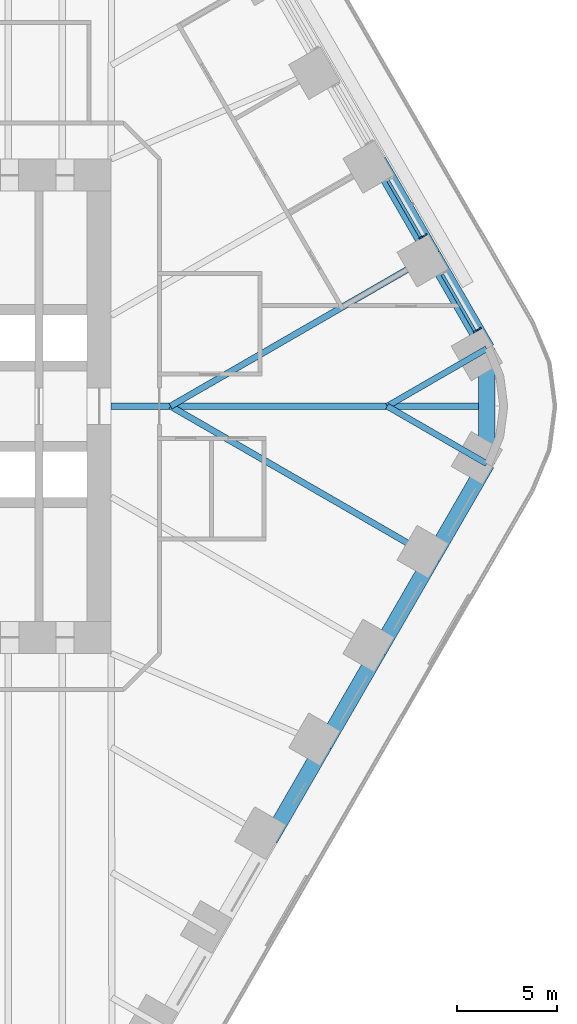
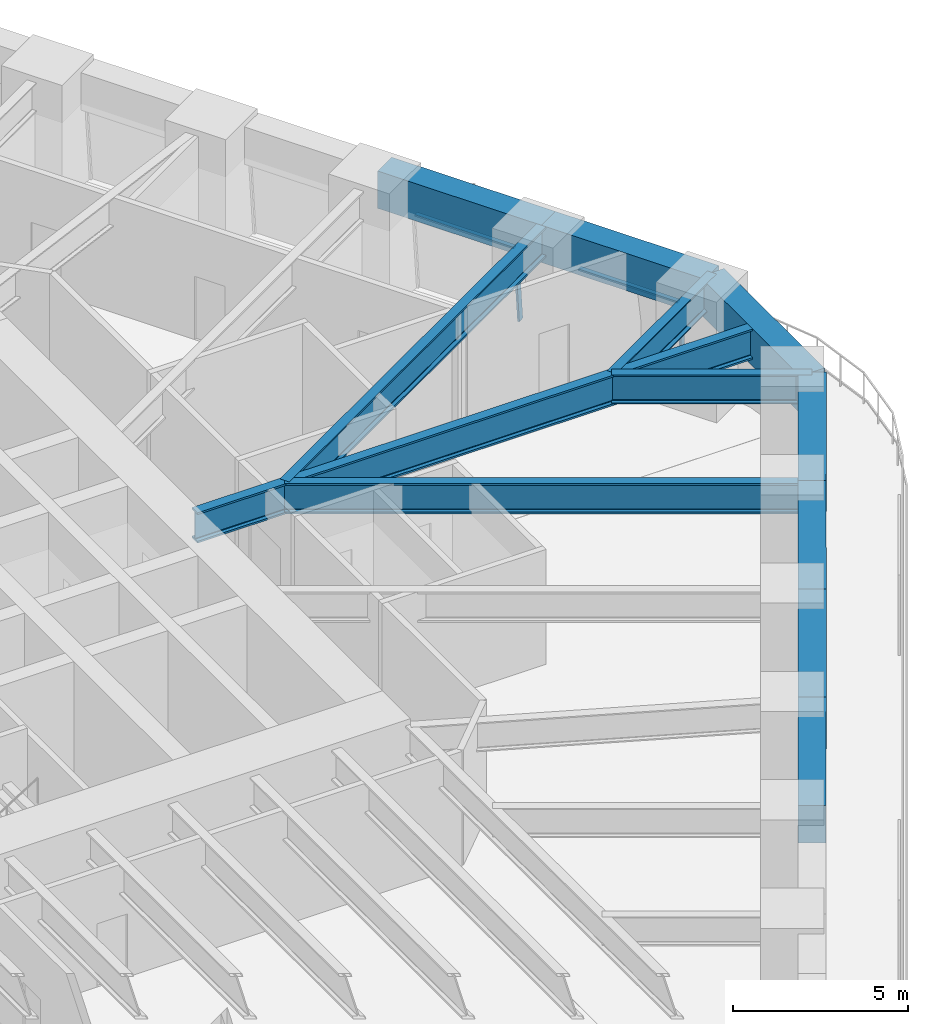
# One storey, part 12 of 23: 12 beams, 4 members, 2 elements without a shape of their own.
"""IFC4 building model written with IfcOpenShell, lengths in metres."""

from ifc_helpers import new_model, si_unit, direction, frame, origin, origin_2d, place, context, subcontext, project, spatial, rectangle, i_section, extrude, material, material_profile, profile_set, type_object, element, aggregate, save


model = new_model("IFC4")

# Units and contexts
model_context = context("Model", 3, precision=1e-05, world=origin(), true_north=direction((0.0, 1.0)))
body_context = subcontext(model_context, "Body", "Model", "MODEL_VIEW")
ifc_project = project(units=[si_unit("LENGTHUNIT", "METRE"), si_unit("AREAUNIT", "SQUARE_METRE"), si_unit("VOLUMEUNIT", "CUBIC_METRE"), si_unit("PLANEANGLEUNIT", "RADIAN"), si_unit("MASSUNIT", "GRAM", prefix="KILO")], contexts=[model_context])

# Site, building, storey
site_placement = place(None, origin())
site = spatial("IfcSite", under=ifc_project, at=site_placement, CompositionType="ELEMENT")
building_placement = place(site_placement, origin())
building = spatial("IfcBuilding", under=site, at=building_placement, Name="Tarfa Lantern Tower", CompositionType="ELEMENT")
storey_placement = place(building_placement, frame((0.0, 0.0, 48.699951171875)))
storey = spatial("IfcBuildingStorey", under=building, at=storey_placement, Name="L10", CompositionType="ELEMENT", Elevation=48.699951171875)

# Curtain wall, member
ifc_material_1 = material(Name="Aluminium framed curtain wall", Category="aluminium")
curtain_wall_type = type_object("IfcCurtainWallType", Name="CW1 CANTED GLAZING LOW ZONE 2700", PredefinedType="USERDEFINED", material=ifc_material_1)
curtain_wall_1_placement = place(storey_placement, origin())
curtain_wall_1 = element("IfcCurtainWall", 1, at=curtain_wall_1_placement, inside=storey, type_object=curtain_wall_type, Name="CW1 NE L10", ObjectType="CURTAIN WALL", PredefinedType="USERDEFINED")
ifc_material_2 = material(Name="Aluminium mullion", Category="aluminium")
ifc_material_profile_1 = material_profile(ifc_material_2, rectangle(XDim=0.06494140625, YDim=0.199951171875, at=origin_2d()), Name="AL MULLION 65x200")
ifc_profile_set_1 = profile_set([ifc_material_profile_1], Name="Aluminium mullion")
member_type_1 = type_object("IfcMemberType", Name="CWM1 MULLION 65x200", PredefinedType="MULLION", material=ifc_profile_set_1)
member_1_placement = place(storey_placement, frame((36.9248046875, 3.84423828125, 0.0), z_axis=(-0.079774955866, -0.04610020023, 0.995746317068), x_axis=(0.500342721131, -0.865827443207, 0.0)))
member_1 = element("IfcMember", 2, at=member_1_placement, type_object=member_type_1, Name="CW1 mullion 1", PredefinedType="MULLION", context=body_context, shape_type="SweptSolid", body=[
    extrude(rectangle(XDim=0.06494140625, YDim=0.199951171875, at=origin_2d()), origin(), (0.0, 0.0, 1.0), 2.71142578125),
])

curtain_wall_2_placement = place(storey_placement, origin())
curtain_wall_2 = element("IfcCurtainWall", 3, at=curtain_wall_2_placement, inside=storey, type_object=curtain_wall_type, Name="CW1 NE L10", ObjectType="CURTAIN WALL", PredefinedType="USERDEFINED")
member_2_placement = place(storey_placement, frame((34.230712890625, 8.5107421875, 0.0), z_axis=(-0.07986442134, -0.046099868913, 0.99573916077), x_axis=(0.499919672301, -0.866071776036, 0.0)))
member_2 = element("IfcMember", 4, at=member_2_placement, type_object=member_type_1, Name="CW1 mullion 1", PredefinedType="MULLION", context=body_context, shape_type="SweptSolid", body=[
    extrude(rectangle(XDim=0.06494140625, YDim=0.199951171875, at=origin_2d()), origin(), (0.0, 0.0, 1.0), 2.71142578125),
])

# Member
ifc_material_3 = material(Name="Aluminium transom", Category="aluminium")
ifc_material_profile_2 = material_profile(ifc_material_3, rectangle(XDim=0.14990234375, YDim=0.06494140625, at=origin_2d()), Name="AL TRANSOM 150x65")
ifc_profile_set_2 = profile_set([ifc_material_profile_2], Name="Aluminium transom")
member_type_2 = type_object("IfcMemberType", Name="CWT1 TRANSOM 150x65", PredefinedType="USERDEFINED", material=ifc_profile_set_2)
member_3_placement = place(storey_placement, frame((36.69482421875, 3.748779296875, 2.66748046875), z_axis=(-0.500022939057, 0.866012159509, 0.0), x_axis=(-0.866012159509, -0.500022939057, 0.0)))
member_3 = element("IfcMember", 5, at=member_3_placement, type_object=member_type_2, Name="CW1 transom 1.2", ObjectType="TRANSOM", PredefinedType="USERDEFINED", context=body_context, shape_type="SweptSolid", body=[
    extrude(rectangle(XDim=0.14990234375, YDim=0.06494140625, at=origin_2d()), origin(), (0.0, 0.0, 1.0), 3.258544921875),
])

aggregate(curtain_wall_1, [member_1, member_3])

member_4_placement = place(storey_placement, frame((34.00048828125, 8.41552734375, 2.66748046875), z_axis=(-0.500022939057, 0.866012159509, 0.0), x_axis=(-0.866012159509, -0.500022939057, 0.0)))
member_4 = element("IfcMember", 6, at=member_4_placement, type_object=member_type_2, Name="CW1 transom 1.2", ObjectType="TRANSOM", PredefinedType="USERDEFINED", context=body_context, shape_type="SweptSolid", body=[
    extrude(rectangle(XDim=0.14990234375, YDim=0.06494140625, at=origin_2d()), origin(), (0.0, 0.0, 1.0), 3.258544921875),
])

aggregate(curtain_wall_2, [member_2, member_4])

# Beams
ifc_material_4 = material(Name="Concrete C80/95", Category="concrete")
ifc_material_profile_3 = material_profile(ifc_material_4, rectangle(XDim=0.800048828125, YDim=1.300048828125, at=origin_2d()), Name="RC 800x1300")
ifc_profile_set_3 = profile_set([ifc_material_profile_3], Name="Concrete C80/95")
beam_type_1 = type_object("IfcBeamType", Name="EB1 RC 800x1300", PredefinedType="SPANDREL", material=ifc_profile_set_3)
beam_1_placement = place(storey_placement, frame((37.285400390625, 2.860107421875, 3.35009765625), z_axis=(-0.500017906299, 0.866015065331, 0.0), x_axis=(-0.866015065331, -0.500017906299, 0.0)))
element("IfcBeam", 7, at=beam_1_placement, inside=storey, type_object=beam_type_1, Name="Edge beam NE0", PredefinedType="SPANDREL", context=body_context, shape_type="SweptSolid", body=[
    extrude(rectangle(XDim=0.800048828125, YDim=1.300048828125, at=origin_2d()), origin(), (0.0, 0.0, 1.0), 5.388427734375),
])
beam_2_placement = place(storey_placement, frame((34.591064453125, 7.526611328125, 3.35009765625), z_axis=(-0.499998287579, 0.866026392449, 0.0), x_axis=(-0.866026392449, -0.499998287579, 0.0)))
element("IfcBeam", 8, at=beam_2_placement, inside=storey, type_object=beam_type_1, Name="Edge beam NE1", PredefinedType="SPANDREL", context=body_context, shape_type="SweptSolid", body=[
    extrude(rectangle(XDim=0.800048828125, YDim=1.300048828125, at=origin_2d()), origin(), (0.0, 0.0, 1.0), 5.388671875),
])
beam_3_placement = place(storey_placement, frame((26.508056640625, -21.526611328125, 3.35009765625), z_axis=(0.500017906299, 0.866015065331, 0.0), x_axis=(-0.866015065331, 0.500017906299, 0.0)))
element("IfcBeam", 9, at=beam_3_placement, inside=storey, type_object=beam_type_1, Name="Edge beam SE2", PredefinedType="SPANDREL", context=body_context, shape_type="SweptSolid", body=[
    extrude(rectangle(XDim=0.800048828125, YDim=1.300048828125, at=origin_2d()), origin(), (0.0, 0.0, 1.0), 5.388427734375),
])
for number, where, z_axis, x_axis, name in (
    (10, (29.202392578125, -16.860107421875, 3.35009765625), (0.499998287579, 0.866026392449, 0.0), (-0.866026392449, 0.499998287579, 0.0), "Edge beam SE3"),
    (11, (31.896728515625, -12.193359375, 3.35009765625), (0.499998287579, 0.866026392449, 0.0), (-0.866026392449, 0.499998287579, 0.0), "Edge beam SE4"),
):
    element("IfcBeam", number, at=place(storey_placement, frame(where, z_axis=z_axis, x_axis=x_axis)), inside=storey, type_object=beam_type_1, Name=name, PredefinedType="SPANDREL", context=body_context, shape_type="SweptSolid", body=[
        extrude(rectangle(XDim=0.800048828125, YDim=1.300048828125, at=origin_2d()), origin(), (0.0, 0.0, 1.0), 5.388671875),
    ])
beam_4_placement = place(storey_placement, frame((34.591064453125, -7.526611328125, 3.35009765625), z_axis=(0.500017906299, 0.866015065331, 0.0), x_axis=(-0.866015065331, 0.500017906299, 0.0)))
element("IfcBeam", 12, at=beam_4_placement, inside=storey, type_object=beam_type_1, Name="Edge beam SE5", PredefinedType="SPANDREL", context=body_context, shape_type="SweptSolid", body=[
    extrude(rectangle(XDim=0.800048828125, YDim=1.300048828125, at=origin_2d()), origin(), (0.0, 0.0, 1.0), 5.388427734375),
])
beam_5_placement = place(storey_placement, frame((37.285400390625, -2.860107421875, 3.35009765625), z_axis=(0.0, 1.0, 0.0), x_axis=(-1.0, 0.0, 0.0)))
element("IfcBeam", 13, at=beam_5_placement, inside=storey, type_object=beam_type_1, Name="Edge beam SE6", PredefinedType="SPANDREL", context=body_context, shape_type="SweptSolid", body=[
    extrude(rectangle(XDim=0.800048828125, YDim=1.300048828125, at=origin_2d()), origin(), (0.0, 0.0, 1.0), 5.72021484375),
])
ifc_material_5 = material(Name="Steel S460M", Category="steel")
ifc_material_profile_4 = material_profile(ifc_material_5, i_section(OverallWidth=0.302001953125, OverallDepth=1.008056640625, WebThickness=0.02099609375, FlangeThickness=0.0400390625, FilletRadius=0.030029296875, at=origin_2d()), Name="UB1016x305x349")
ifc_profile_set_4 = profile_set([ifc_material_profile_4], Name="Steel S460M")
beam_type_2 = type_object("IfcBeamType", Name="UB1016x305x349", PredefinedType="BEAM", material=ifc_profile_set_4)
for number, where, z_axis, x_axis, name in (
    (14, (37.285400390625, 2.860107421875, 3.49609375), (-0.866025668288, -0.499999541866, 0.0), (0.499999541866, -0.866025668288, 0.0), "Floor beam NE0"),
    (15, (37.285400390625, -2.860107421875, 3.49609375), (-0.866025668288, 0.499999541866, 0.0), (-0.499999541866, -0.866025668288, 0.0), "Floor beam SE6"),
):
    element("IfcBeam", number, at=place(storey_placement, frame(where, z_axis=z_axis, x_axis=x_axis)), inside=storey, type_object=beam_type_2, Name=name, PredefinedType="BEAM", context=body_context, shape_type="SweptSolid", body=[
        extrude(i_section(OverallWidth=0.302001953125, OverallDepth=1.008056640625, WebThickness=0.02099609375, FlangeThickness=0.0400390625, FilletRadius=0.030029296875, at=origin_2d()), origin(), (0.0, 0.0, 1.0), 5.72021484375),
    ])
ifc_material_profile_5 = material_profile(ifc_material_5, i_section(OverallWidth=0.314208984375, OverallDepth=1.055908203125, WebThickness=0.035888671875, FlangeThickness=0.06396484375, FilletRadius=0.030029296875, at=origin_2d()), Name="UB1016x305x584")
ifc_profile_set_5 = profile_set([ifc_material_profile_5], Name="Steel S460M")
beam_type_3 = type_object("IfcBeamType", Name="UB1016x305x584", PredefinedType="BEAM", material=ifc_profile_set_5)
beam_6_placement = place(storey_placement, frame((18.60009765625, 0.0, 3.47216796875), z_axis=(1.0, 0.0, 0.0), x_axis=(0.0, 1.0, 0.0)))
element("IfcBeam", 16, at=beam_6_placement, inside=storey, type_object=beam_type_3, Name="Hip girder E", PredefinedType="BEAM", context=body_context, shape_type="SweptSolid", body=[
    extrude(i_section(OverallWidth=0.314208984375, OverallDepth=1.055908203125, WebThickness=0.035888671875, FlangeThickness=0.06396484375, FilletRadius=0.030029296875, at=origin_2d()), origin(), (0.0, 0.0, 1.0), 18.685302734375),
])
for number, where, z_axis, x_axis, name in (
    (17, (34.591064453125, 7.526611328125, 3.47216796875), (-0.86602785945, -0.499995746638, 0.0), (0.499995746638, -0.86602785945, 0.0), "Floor beam NE1"),
    (18, (34.591064453125, -7.526611328125, 3.47216796875), (-0.86602785945, 0.499995746638, 0.0), (-0.499995746638, -0.86602785945, 0.0), "Floor beam SE5"),
):
    element("IfcBeam", number, at=place(storey_placement, frame(where, z_axis=z_axis, x_axis=x_axis)), inside=storey, type_object=beam_type_3, Name=name, PredefinedType="BEAM", context=body_context, shape_type="SweptSolid", body=[
        extrude(i_section(OverallWidth=0.314208984375, OverallDepth=1.055908203125, WebThickness=0.035888671875, FlangeThickness=0.06396484375, FilletRadius=0.030029296875, at=origin_2d()), origin(), (0.0, 0.0, 1.0), 15.053466796875),
    ])

save(model, "model.ifc")
